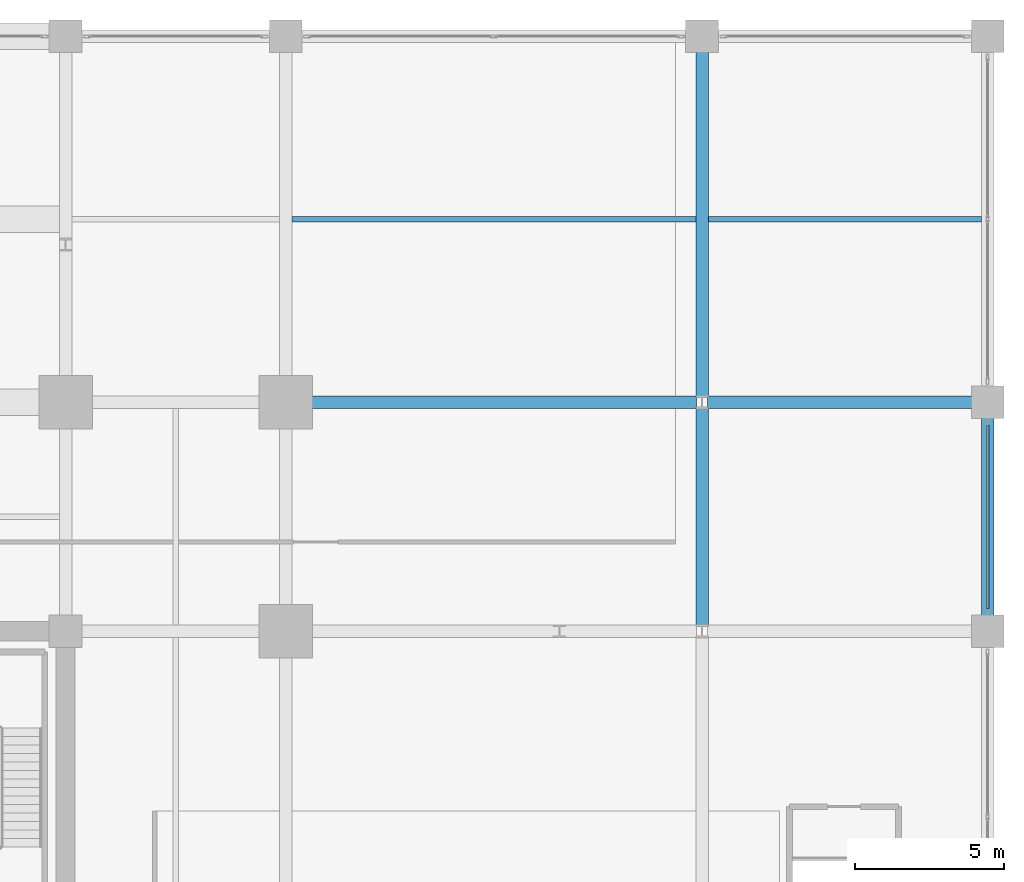
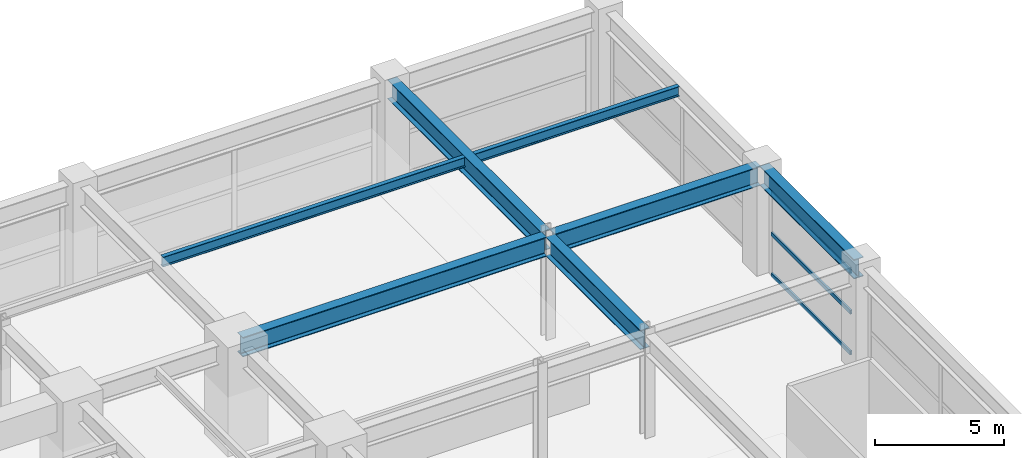
# One storey, part 25 of 35: 7 beams, 3 members, 1 element without a shape of its own.
"""IFC4 building model written with IfcOpenShell, lengths in metres."""

from ifc_helpers import new_model, si_unit, direction, frame, origin, origin_2d, place, context, subcontext, project, spatial, hollow_rectangle, i_section, extrude, material, material_profile, profile_set, type_object, element, aggregate, save


model = new_model("IFC4")

# Units and contexts
model_context = context("Model", 3, precision=1e-05, world=origin(), true_north=direction((0.0, 1.0)))
body_context = subcontext(model_context, "Body", "Model", "MODEL_VIEW")
ifc_project = project(units=[si_unit("LENGTHUNIT", "METRE"), si_unit("AREAUNIT", "SQUARE_METRE"), si_unit("VOLUMEUNIT", "CUBIC_METRE"), si_unit("PLANEANGLEUNIT", "RADIAN"), si_unit("MASSUNIT", "GRAM", prefix="KILO")], contexts=[model_context])

# Site, building, storey
site_placement = place(None, origin())
site = spatial("IfcSite", under=ifc_project, at=site_placement, CompositionType="ELEMENT")
building_placement = place(site_placement, origin())
building = spatial("IfcBuilding", under=site, at=building_placement, Name="Kovane Verandah Tower", CompositionType="ELEMENT")
storey_placement = place(building_placement, frame((0.0, 0.0, 16.39990234375)))
storey = spatial("IfcBuildingStorey", under=building, at=storey_placement, Name="L03", CompositionType="ELEMENT", Elevation=16.39990234375)

# Beams
ifc_material_1 = material(Name="Steel S460", Category="steel")
ifc_material_profile_1 = material_profile(ifc_material_1, i_section(OverallWidth=0.42041015625, OverallDepth=0.9208984375, WebThickness=0.021484375, FlangeThickness=0.03662109375, FilletRadius=0.024169921875, at=origin_2d()), Name="UB914x419x388")
ifc_profile_set_1 = profile_set([ifc_material_profile_1], Name="Steel S460")
beam_type_1 = type_object("IfcBeamType", Name="BM-UB914x388", PredefinedType="BEAM", material=ifc_profile_set_1)
beam_1_placement = place(storey_placement, frame((58.580078125, 44.199951171875, 4.439697265625), z_axis=(1.0, 0.0, 0.0), x_axis=(0.0, 1.0, 0.0)))
element("IfcBeam", 1, at=beam_1_placement, inside=storey, type_object=beam_type_1, Name="L03 Podium Garden Transfer Girder X15", PredefinedType="BEAM", context=body_context, shape_type="SweptSolid", body=[
    extrude(i_section(OverallWidth=0.42041015625, OverallDepth=0.9208984375, WebThickness=0.021484375, FlangeThickness=0.03662109375, FilletRadius=0.024169921875, at=origin_2d()), origin(), (0.0, 0.0, 1.0), 13.639892578125),
])
beam_2_placement = place(storey_placement, frame((72.580078125, 44.199951171875, 4.439697265625), z_axis=(1.0, 0.0, 0.0), x_axis=(0.0, 1.0, 0.0)))
element("IfcBeam", 2, at=beam_2_placement, inside=storey, type_object=beam_type_1, Name="L03 Podium Garden Transfer Girder X16", PredefinedType="BEAM", context=body_context, shape_type="SweptSolid", body=[
    extrude(i_section(OverallWidth=0.42041015625, OverallDepth=0.9208984375, WebThickness=0.021484375, FlangeThickness=0.03662109375, FilletRadius=0.024169921875, at=origin_2d()), origin(), (0.0, 0.0, 1.0), 9.239990234375),
])
beam_3_placement = place(storey_placement, frame((72.39990234375, 36.679931640625, 4.439697265625), z_axis=(0.0, 1.0, 0.0), x_axis=(-1.0, 0.0, 0.0)))
element("IfcBeam", 3, at=beam_3_placement, inside=storey, type_object=beam_type_1, Name="L03 Podium Garden Transfer Girder Y38", PredefinedType="BEAM", context=body_context, shape_type="SweptSolid", body=[
    extrude(i_section(OverallWidth=0.42041015625, OverallDepth=0.9208984375, WebThickness=0.021484375, FlangeThickness=0.03662109375, FilletRadius=0.024169921875, at=origin_2d()), origin(), (0.0, 0.0, 1.0), 7.340087890625),
])
beam_4_placement = place(storey_placement, frame((72.39990234375, 44.3798828125, 4.439697265625), z_axis=(0.0, 1.0, 0.0), x_axis=(-1.0, 0.0, 0.0)))
element("IfcBeam", 4, at=beam_4_placement, inside=storey, type_object=beam_type_1, Name="L03 Podium Garden Transfer Girder Y39", PredefinedType="BEAM", context=body_context, shape_type="SweptSolid", body=[
    extrude(i_section(OverallWidth=0.42041015625, OverallDepth=0.9208984375, WebThickness=0.021484375, FlangeThickness=0.03662109375, FilletRadius=0.024169921875, at=origin_2d()), origin(), (0.0, 0.0, 1.0), 11.940185546875),
])
beam_5_placement = place(storey_placement, frame((82.0, 36.679931640625, 4.439697265625), z_axis=(0.0, 1.0, 0.0), x_axis=(-1.0, 0.0, 0.0)))
element("IfcBeam", 5, at=beam_5_placement, inside=storey, type_object=beam_type_1, Name="L03 Podium Garden Transfer Girder Y42", PredefinedType="BEAM", context=body_context, shape_type="SweptSolid", body=[
    extrude(i_section(OverallWidth=0.42041015625, OverallDepth=0.9208984375, WebThickness=0.021484375, FlangeThickness=0.03662109375, FilletRadius=0.024169921875, at=origin_2d()), origin(), (0.0, 0.0, 1.0), 7.340087890625),
])

# Curtain wall, members
ifc_material_2 = material(Name="Champagne Anodised Aluminium Frame with Low-E Clear Laminated Glass", Category="aluminium")
curtain_wall_type = type_object("IfcCurtainWallType", Name="CW-SYS-01-POD", PredefinedType="NOTDEFINED", material=ifc_material_2)
curtain_wall_placement = place(storey_placement, origin())
curtain_wall = element("IfcCurtainWall", 6, at=curtain_wall_placement, inside=storey, type_object=curtain_wall_type, Name="L03 East Podium Curtain Wall Bay 4", PredefinedType="NOTDEFINED")
ifc_material_3 = material(Name="Champagne Anodised Aluminium 6063-T6", Category="aluminium")
ifc_material_profile_2 = material_profile(ifc_material_3, hollow_rectangle(XDim=0.0849609375, YDim=0.18994140625, WallThickness=0.00390625, at=origin_2d()), Name="AL85x190x4")
ifc_profile_set_2 = profile_set([ifc_material_profile_2], Name="Champagne Anodised Aluminium 6063-T6")
member_type = type_object("IfcMemberType", Name="CW-TRN-85x190", PredefinedType="USERDEFINED", material=ifc_profile_set_2)
member_1_placement = place(storey_placement, frame((82.0, 37.27001953125, 0.050048828125), z_axis=(0.0, 1.0, 0.0), x_axis=(-1.0, 0.0, 0.0)))
member_1 = element("IfcMember", 7, at=member_1_placement, type_object=member_type, Name="L03 East Podium Curtain Wall Bay 4 Transom TB Bay 1", ObjectType="TRANSOM", PredefinedType="USERDEFINED", context=body_context, shape_type="SweptSolid", body=[
    extrude(hollow_rectangle(XDim=0.0849609375, YDim=0.18994140625, WallThickness=0.00390625, at=origin_2d()), origin(), (0.0, 0.0, 1.0), 6.159912109375),
])
member_2_placement = place(storey_placement, frame((82.0, 37.27001953125, 1.9794921875), z_axis=(0.0, 1.0, 0.0), x_axis=(-1.0, 0.0, 0.0)))
member_2 = element("IfcMember", 8, at=member_2_placement, type_object=member_type, Name="L03 East Podium Curtain Wall Bay 4 Transom TM Bay 1", ObjectType="TRANSOM", PredefinedType="USERDEFINED", context=body_context, shape_type="SweptSolid", body=[
    extrude(hollow_rectangle(XDim=0.0849609375, YDim=0.18994140625, WallThickness=0.00390625, at=origin_2d()), origin(), (0.0, 0.0, 1.0), 6.159912109375),
])
member_3_placement = place(storey_placement, frame((82.0, 37.27001953125, 3.9091796875), z_axis=(0.0, 1.0, 0.0), x_axis=(-1.0, 0.0, 0.0)))
member_3 = element("IfcMember", 9, at=member_3_placement, type_object=member_type, Name="L03 East Podium Curtain Wall Bay 4 Transom TT Bay 1", ObjectType="TRANSOM", PredefinedType="USERDEFINED", context=body_context, shape_type="SweptSolid", body=[
    extrude(hollow_rectangle(XDim=0.0849609375, YDim=0.18994140625, WallThickness=0.00390625, at=origin_2d()), origin(), (0.0, 0.0, 1.0), 6.159912109375),
])
aggregate(curtain_wall, [member_1, member_2, member_3])

# Beams
ifc_material_4 = material(Name="Steel S355", Category="steel")
ifc_material_profile_3 = material_profile(ifc_material_4, i_section(OverallWidth=0.19287109375, OverallDepth=0.46728515625, WebThickness=0.011474609375, FlangeThickness=0.01953125, FilletRadius=0.01025390625, at=origin_2d()), Name="UB457x191x98")
ifc_profile_set_3 = profile_set([ifc_material_profile_3], Name="Steel S355")
beam_type_2 = type_object("IfcBeamType", Name="JST-UB457x98", PredefinedType="JOIST", material=ifc_profile_set_3)
beam_6_placement = place(storey_placement, frame((58.608154296875, 50.35009765625, 4.66650390625), z_axis=(1.0, 0.0, 0.0), x_axis=(0.0, 1.0, 0.0)))
element("IfcBeam", 10, at=beam_6_placement, inside=storey, type_object=beam_type_2, Name="L03 Podium Secondary Joist 06", PredefinedType="JOIST", context=body_context, shape_type="SweptSolid", body=[
    extrude(i_section(OverallWidth=0.19287109375, OverallDepth=0.46728515625, WebThickness=0.011474609375, FlangeThickness=0.01953125, FilletRadius=0.01025390625, at=origin_2d()), origin(), (0.0, 0.0, 1.0), 13.583740234375),
])
beam_7_placement = place(storey_placement, frame((72.608154296875, 50.35009765625, 4.66650390625), z_axis=(1.0, 0.0, 0.0), x_axis=(0.0, 1.0, 0.0)))
element("IfcBeam", 11, at=beam_7_placement, inside=storey, type_object=beam_type_2, Name="L03 Podium Secondary Joist 07", PredefinedType="JOIST", context=body_context, shape_type="SweptSolid", body=[
    extrude(i_section(OverallWidth=0.19287109375, OverallDepth=0.46728515625, WebThickness=0.011474609375, FlangeThickness=0.01953125, FilletRadius=0.01025390625, at=origin_2d()), origin(), (0.0, 0.0, 1.0), 9.18359375),
])

save(model, "model.ifc")
